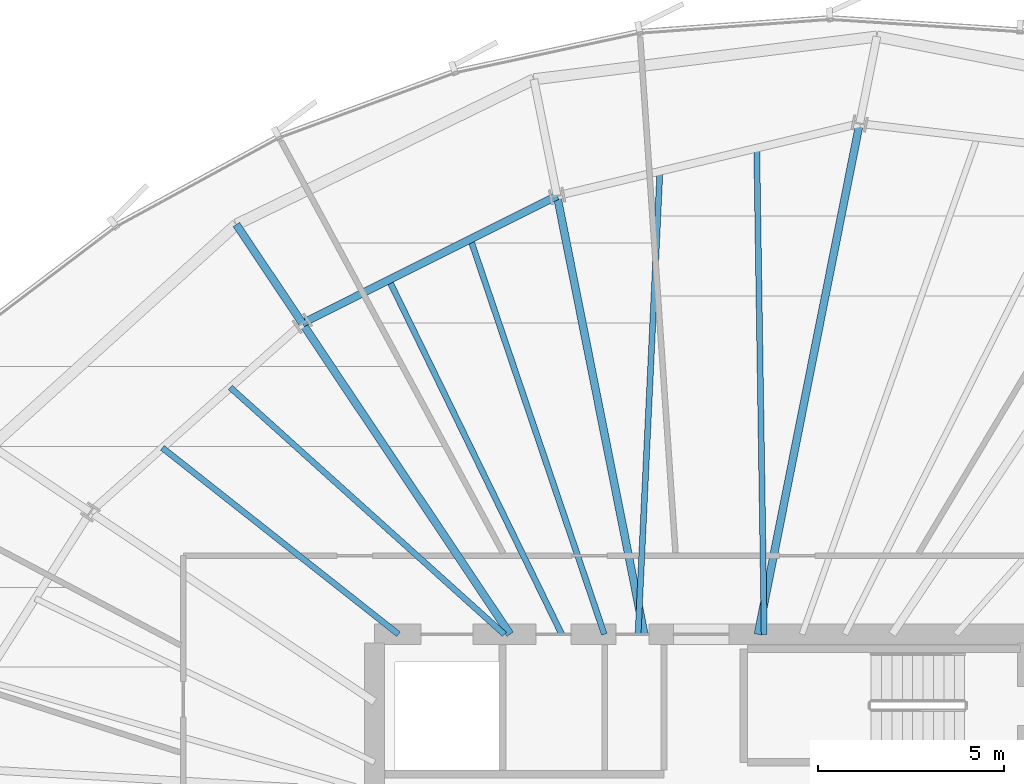
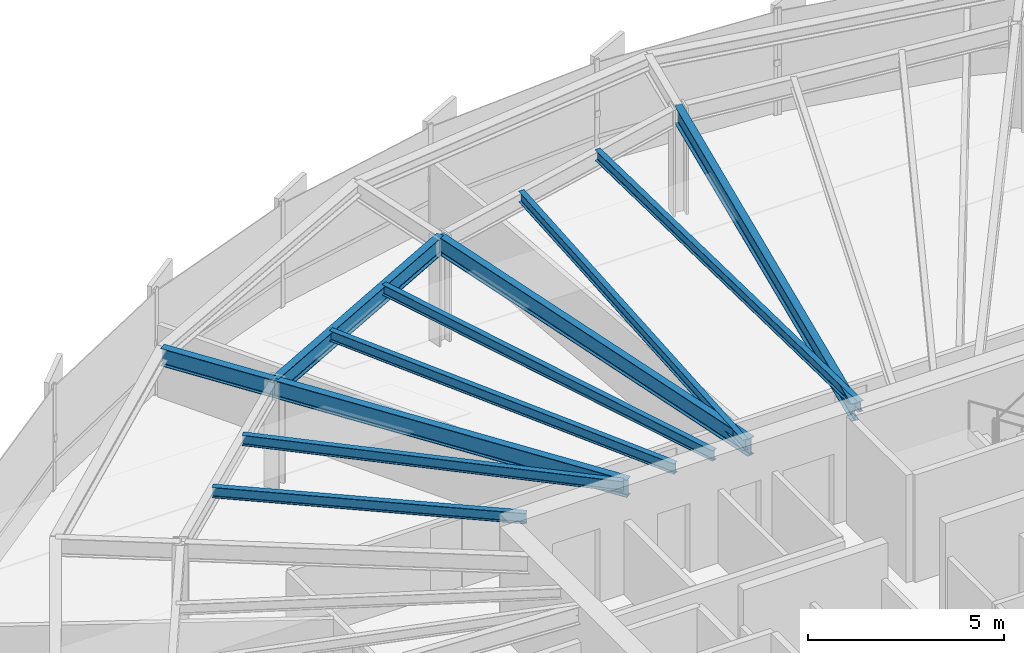
# One storey, part 20 of 35: 11 beams.
"""IFC4 building model written with IfcOpenShell, lengths in metres."""

from ifc_helpers import new_model, si_unit, direction, frame, origin, origin_2d, place, context, subcontext, project, spatial, i_section, extrude, source, transform, mapped, material, material_profile, profile_set, type_object, element, save


model = new_model("IFC4")

# Units and contexts
model_context = context("Model", 3, precision=1e-05, world=origin(), true_north=direction((0.0, 1.0)))
body_context = subcontext(model_context, "Body", "Model", "MODEL_VIEW")
ifc_project = project(units=[si_unit("LENGTHUNIT", "METRE"), si_unit("AREAUNIT", "SQUARE_METRE"), si_unit("VOLUMEUNIT", "CUBIC_METRE"), si_unit("PLANEANGLEUNIT", "RADIAN"), si_unit("MASSUNIT", "GRAM", prefix="KILO"), si_unit("THERMODYNAMICTEMPERATUREUNIT", "KELVIN")], contexts=[model_context])

# Site, building, storey
site_placement = place(None, origin())
site = spatial("IfcSite", under=ifc_project, at=site_placement, CompositionType="ELEMENT")
building_placement = place(site_placement, origin())
building = spatial("IfcBuilding", under=site, at=building_placement, Name="Kethvar Cultural Tower", CompositionType="ELEMENT")
storey_placement = place(building_placement, frame((0.0, 0.0, 100.0)))
storey = spatial("IfcBuildingStorey", under=building, at=storey_placement, Name="L24", CompositionType="ELEMENT", Elevation=100.0)

# Beams
ifc_material = material(Name="Steel S355J2", Category="steel")
ifc_material_profile_1 = material_profile(ifc_material, i_section(OverallWidth=0.2099609375, OverallDepth=0.550048828125, WebThickness=0.010986328125, FlangeThickness=0.01708984375, FilletRadius=0.02392578125, at=origin_2d()), Name="Steel S355J2 — IPE550")
ifc_profile_set_1 = profile_set([ifc_material_profile_1], Name="Steel S355J2 — IPE550")
beam_type_1 = type_object("IfcBeamType", Name="BM-IPE550", PredefinedType="BEAM", material=ifc_profile_set_1)
shared_shape_1 = source(origin(), body_context, "Body", "SweptSolid", [
    extrude(i_section(OverallWidth=0.2099609375, OverallDepth=0.550048828125, WebThickness=0.010986328125, FlangeThickness=0.01708984375, FilletRadius=0.02392578125, at=origin_2d()), origin(), (0.0, 0.0, 1.0), 3.2001953125),
])
beam_1_placement = place(storey_placement, frame((36.0576171875, 43.877197265625, 3.072998046875), z_axis=(-0.555544970406, 0.831486491686, 0.0), x_axis=(-0.831486491686, -0.555544970406, 0.0)))
element("IfcBeam", 1, at=beam_1_placement, inside=storey, type_object=beam_type_1, Name="L24 Perimeter Cantilever Beam RC-06", PredefinedType="BEAM", context=body_context, shape_type="MappedRepresentation", body=[
    mapped(shared_shape_1, transform((0.0, 0.0, 0.0), scale=1.0)),
])
shared_shape_2 = source(origin(), body_context, "Body", "SweptSolid", [
    extrude(i_section(OverallWidth=0.2099609375, OverallDepth=0.550048828125, WebThickness=0.010986328125, FlangeThickness=0.01708984375, FilletRadius=0.02392578125, at=origin_2d()), origin(), (0.0, 0.0, 1.0), 14.02880859375),
])
beam_2_placement = place(storey_placement, frame((48.33154296875, 35.5, 3.072998046875), z_axis=(0.195101986683, 0.980782960085, 0.0), x_axis=(-0.980782960085, 0.195101986683, 0.0)))
element("IfcBeam", 2, at=beam_2_placement, inside=storey, type_object=beam_type_1, Name="L24 Primary Radial Beam RB-04", PredefinedType="BEAM", context=body_context, shape_type="MappedRepresentation", body=[
    mapped(shared_shape_2, transform((0.0, 0.0, 0.0), scale=1.0)),
])
shared_shape_3 = source(origin(), body_context, "Body", "SweptSolid", [
    extrude(i_section(OverallWidth=0.2099609375, OverallDepth=0.550048828125, WebThickness=0.010986328125, FlangeThickness=0.01708984375, FilletRadius=0.02392578125, at=origin_2d()), origin(), (0.0, 0.0, 1.0), 12.042724609375),
])
beam_3_placement = place(storey_placement, frame((45.268310546875, 35.5, 3.072998046875), z_axis=(-0.195086784047, 0.980785984142, 0.0), x_axis=(-0.980785984142, -0.195086784047, 0.0)))
element("IfcBeam", 3, at=beam_3_placement, inside=storey, type_object=beam_type_1, Name="L24 Primary Radial Beam RB-05", PredefinedType="BEAM", context=body_context, shape_type="MappedRepresentation", body=[
    mapped(shared_shape_3, transform((0.0, 0.0, 0.0), scale=1.0)),
])
shared_shape_4 = source(origin(), body_context, "Body", "SweptSolid", [
    extrude(i_section(OverallWidth=0.2099609375, OverallDepth=0.550048828125, WebThickness=0.010986328125, FlangeThickness=0.01708984375, FilletRadius=0.02392578125, at=origin_2d()), origin(), (0.0, 0.0, 1.0), 10.0751953125),
])
beam_4_placement = place(storey_placement, frame((41.655029296875, 35.5, 3.072998046875), z_axis=(-0.555566654614, 0.831472003305, 0.0), x_axis=(-0.831472003305, -0.555566654614, 0.0)))
element("IfcBeam", 4, at=beam_4_placement, inside=storey, type_object=beam_type_1, Name="L24 Primary Radial Beam RB-06", PredefinedType="BEAM", context=body_context, shape_type="MappedRepresentation", body=[
    mapped(shared_shape_4, transform((0.0, 0.0, 0.0), scale=1.0)),
])
ifc_material_profile_2 = material_profile(ifc_material, i_section(OverallWidth=0.159912109375, OverallDepth=0.330078125, WebThickness=0.007568359375, FlangeThickness=0.011474609375, FilletRadius=0.01806640625, at=origin_2d()), Name="Steel S355J2 — IPE330")
ifc_profile_set_2 = profile_set([ifc_material_profile_2], Name="Steel S355J2 — IPE330")
beam_type_2 = type_object("IfcBeamType", Name="BM-J330", PredefinedType="JOIST", material=ifc_profile_set_2)
shared_shape_5 = source(origin(), body_context, "Body", "SweptSolid", [
    extrude(i_section(OverallWidth=0.159912109375, OverallDepth=0.330078125, WebThickness=0.007568359375, FlangeThickness=0.011474609375, FilletRadius=0.01806640625, at=origin_2d()), origin(), (0.0, 0.0, 1.0), 13.098388671875),
])
beam_5_placement = place(storey_placement, frame((48.5, 35.5, 3.18310546875), z_axis=(-0.015451599057, 0.999880616917, 0.0), x_axis=(-0.999880616917, -0.015451599057, 0.0)))
element("IfcBeam", 5, at=beam_5_placement, inside=storey, type_object=beam_type_2, Name="L24 Composite Floor Joist J-04A", PredefinedType="JOIST", context=body_context, shape_type="MappedRepresentation", body=[
    mapped(shared_shape_5, transform((0.0, 0.0, 0.0), scale=1.0)),
])
shared_shape_6 = source(origin(), body_context, "Body", "SweptSolid", [
    extrude(i_section(OverallWidth=0.159912109375, OverallDepth=0.330078125, WebThickness=0.007568359375, FlangeThickness=0.011474609375, FilletRadius=0.01806640625, at=origin_2d()), origin(), (0.0, 0.0, 1.0), 12.487548828125),
])
beam_6_placement = place(storey_placement, frame((45.10009765625, 35.5, 3.18310546875), z_axis=(0.047214958818, 0.998884751943, 0.0), x_axis=(-0.998884751943, 0.047214958818, 0.0)))
element("IfcBeam", 6, at=beam_6_placement, inside=storey, type_object=beam_type_2, Name="L24 Composite Floor Joist J-04B", PredefinedType="JOIST", context=body_context, shape_type="MappedRepresentation", body=[
    mapped(shared_shape_6, transform((0.0, 0.0, 0.0), scale=1.0)),
])
shared_shape_7 = source(origin(), body_context, "Body", "SweptSolid", [
    extrude(i_section(OverallWidth=0.2099609375, OverallDepth=0.550048828125, WebThickness=0.010986328125, FlangeThickness=0.01708984375, FilletRadius=0.02392578125, at=origin_2d()), origin(), (0.0, 0.0, 1.0), 7.672607421875),
])
beam_7_placement = place(storey_placement, frame((42.9189453125, 47.311279296875, 3.072998046875), z_axis=(-0.894248932057, -0.447569935892, 0.0), x_axis=(0.447569935892, -0.894248932057, 0.0)))
element("IfcBeam", 7, at=beam_7_placement, inside=storey, type_object=beam_type_1, Name="L24 Column Ring Tie Beam CR-05", PredefinedType="BEAM", context=body_context, shape_type="MappedRepresentation", body=[
    mapped(shared_shape_7, transform((0.0, 0.0, 0.0), scale=1.0)),
])
shared_shape_8 = source(origin(), body_context, "Body", "SweptSolid", [
    extrude(i_section(OverallWidth=0.159912109375, OverallDepth=0.330078125, WebThickness=0.007568359375, FlangeThickness=0.011474609375, FilletRadius=0.01806640625, at=origin_2d()), origin(), (0.0, 0.0, 1.0), 11.23779296875),
])
beam_8_placement = place(storey_placement, frame((44.191650390625, 35.5, 3.18310546875), z_axis=(-0.32083186626, 0.94713616423, 0.0), x_axis=(-0.94713616423, -0.32083186626, 0.0)))
element("IfcBeam", 8, at=beam_8_placement, inside=storey, type_object=beam_type_2, Name="L24 Composite Floor Joist J-05A", PredefinedType="JOIST", context=body_context, shape_type="MappedRepresentation", body=[
    mapped(shared_shape_8, transform((0.0, 0.0, 0.0), scale=1.0)),
])
shared_shape_9 = source(origin(), body_context, "Body", "SweptSolid", [
    extrude(i_section(OverallWidth=0.159912109375, OverallDepth=0.330078125, WebThickness=0.007568359375, FlangeThickness=0.011474609375, FilletRadius=0.01806640625, at=origin_2d()), origin(), (0.0, 0.0, 1.0), 10.619384765625),
])
beam_9_placement = place(storey_placement, frame((43.044921875, 35.5, 3.18310546875), z_axis=(-0.438308125028, 0.898824781331, 0.0), x_axis=(-0.898824781331, -0.438308125028, 0.0)))
element("IfcBeam", 9, at=beam_9_placement, inside=storey, type_object=beam_type_2, Name="L24 Composite Floor Joist J-05B", PredefinedType="JOIST", context=body_context, shape_type="MappedRepresentation", body=[
    mapped(shared_shape_9, transform((0.0, 0.0, 0.0), scale=1.0)),
])
shared_shape_10 = source(origin(), body_context, "Body", "SweptSolid", [
    extrude(i_section(OverallWidth=0.159912109375, OverallDepth=0.330078125, WebThickness=0.007568359375, FlangeThickness=0.011474609375, FilletRadius=0.01806640625, at=origin_2d()), origin(), (0.0, 0.0, 1.0), 9.93701171875),
])
beam_10_placement = place(storey_placement, frame((41.5, 35.5, 3.18310546875), z_axis=(-0.743138974967, 0.669137103952, 0.0), x_axis=(-0.669137103952, -0.743138974967, 0.0)))
element("IfcBeam", 10, at=beam_10_placement, inside=storey, type_object=beam_type_2, Name="L24 Composite Floor Joist J-06A", PredefinedType="JOIST", context=body_context, shape_type="MappedRepresentation", body=[
    mapped(shared_shape_10, transform((0.0, 0.0, 0.0), scale=1.0)),
])
shared_shape_11 = source(origin(), body_context, "Body", "SweptSolid", [
    extrude(i_section(OverallWidth=0.159912109375, OverallDepth=0.330078125, WebThickness=0.007568359375, FlangeThickness=0.011474609375, FilletRadius=0.01806640625, at=origin_2d()), origin(), (0.0, 0.0, 1.0), 8.105712890625),
])
beam_11_placement = place(storey_placement, frame((38.64990234375, 35.5, 3.18310546875), z_axis=(-0.784895872164, 0.619627686486, 0.0), x_axis=(-0.619627686486, -0.784895872164, 0.0)))
element("IfcBeam", 11, at=beam_11_placement, inside=storey, type_object=beam_type_2, Name="L24 Composite Floor Joist J-06B", PredefinedType="JOIST", context=body_context, shape_type="MappedRepresentation", body=[
    mapped(shared_shape_11, transform((0.0, 0.0, 0.0), scale=1.0)),
])

save(model, "model.ifc")
